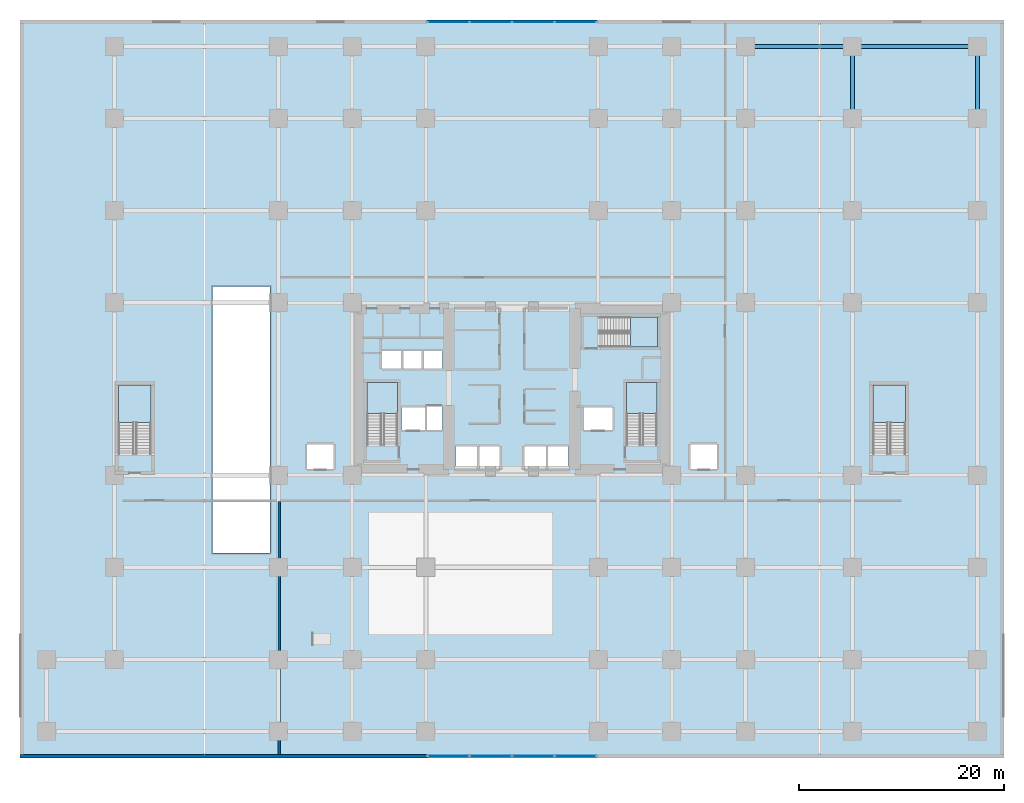
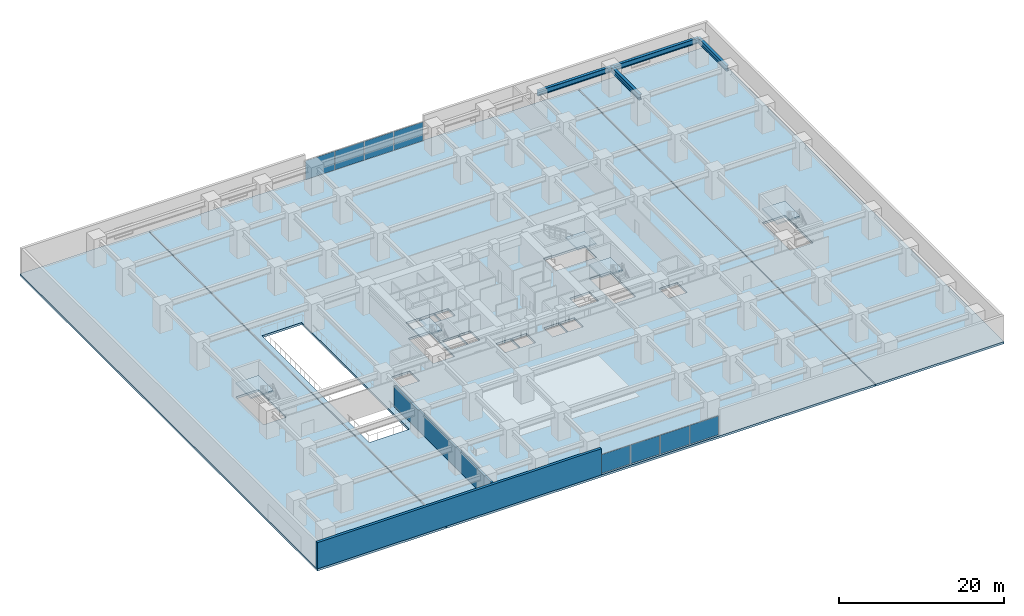
# One storey, part 9 of 22: 8 plates, 8 slabs, 4 beams, 2 walls, 7 elements without a shape of their own.
"""IFC4 building model written with IfcOpenShell, lengths in metres."""

from ifc_helpers import new_model, si_unit, direction, frame, frame_2d, origin, origin_2d, place, context, subcontext, project, spatial, polyline, rectangle, i_section, outline, extrude, material, layer, layer_set, material_profile, profile_set, type_object, element, aggregate, save


model = new_model("IFC4")

# Units and contexts
model_context = context("Model", 3, precision=1e-05, world=origin(), true_north=direction((0.0, 1.0)))
body_context = subcontext(model_context, "Body", "Model", "MODEL_VIEW")
ifc_project = project(units=[si_unit("LENGTHUNIT", "METRE"), si_unit("AREAUNIT", "SQUARE_METRE"), si_unit("VOLUMEUNIT", "CUBIC_METRE"), si_unit("PLANEANGLEUNIT", "RADIAN"), si_unit("MASSUNIT", "GRAM", prefix="KILO")], contexts=[model_context])

# Site, building, storey
site_placement = place(None, origin())
site = spatial("IfcSite", under=ifc_project, at=site_placement, CompositionType="ELEMENT")
building_placement = place(site_placement, origin())
building = spatial("IfcBuilding", under=site, at=building_placement, Name="Kiyonajd Concourse Tower", CompositionType="ELEMENT")
storey_placement = place(building_placement, frame((0.0, 0.0, 8.699951171875)))
storey = spatial("IfcBuildingStorey", under=building, at=storey_placement, Name="L03", CompositionType="ELEMENT", Elevation=8.699951171875)

# Beams
ifc_material_1 = material(Name="Steel ASTM A992 Grade 50", Category="steel")
ifc_material_profile = material_profile(ifc_material_1, i_section(OverallWidth=0.381103515625, OverallDepth=0.77294921875, WebThickness=0.0166015625, FlangeThickness=0.027099609375, at=origin_2d()), Name="W760X257")
ifc_profile_set = profile_set([ifc_material_profile], Name="Steel ASTM A992 Grade 50")
beam_type = type_object("IfcBeamType", Name="BM-POD-760", PredefinedType="BEAM", material=ifc_profile_set)
beam_1_placement = place(storey_placement, frame((70.800048828125, 69.39990234375, 3.49365234375), z_axis=(1.0, 0.0, 0.0), x_axis=(0.0, 1.0, 0.0)))
element("IfcBeam", 1, at=beam_1_placement, inside=storey, type_object=beam_type, Name="L03 Podium Primary Beam", PredefinedType="BEAM", context=body_context, shape_type="SweptSolid", body=[
    extrude(i_section(OverallWidth=0.381103515625, OverallDepth=0.77294921875, WebThickness=0.0166015625, FlangeThickness=0.027099609375, at=origin_2d()), origin(), (0.0, 0.0, 1.0), 10.39990234375),
])
beam_2_placement = place(storey_placement, frame((81.199951171875, 69.39990234375, 3.49365234375), z_axis=(1.0, 0.0, 0.0), x_axis=(0.0, 1.0, 0.0)))
element("IfcBeam", 2, at=beam_2_placement, inside=storey, type_object=beam_type, Name="L03 Podium Primary Beam", PredefinedType="BEAM", context=body_context, shape_type="SweptSolid", body=[
    extrude(i_section(OverallWidth=0.381103515625, OverallDepth=0.77294921875, WebThickness=0.0166015625, FlangeThickness=0.027099609375, at=origin_2d()), origin(), (0.0, 0.0, 1.0), 12.199951171875),
])
for number, where, z_axis, x_axis, name in (
    (3, (81.199951171875, 62.39990234375, 3.49365234375), (0.0, 1.0, 0.0), (-1.0, 0.0, 0.0), "L03 Podium North South Beam"),
    (4, (93.39990234375, 62.39990234375, 3.49365234375), (0.0, 1.0, 0.0), (-1.0, 0.0, 0.0), "L03 Podium North South Beam"),
):
    element("IfcBeam", number, at=place(storey_placement, frame(where, z_axis=z_axis, x_axis=x_axis)), inside=storey, type_object=beam_type, Name=name, PredefinedType="BEAM", context=body_context, shape_type="SweptSolid", body=[
        extrude(i_section(OverallWidth=0.381103515625, OverallDepth=0.77294921875, WebThickness=0.0166015625, FlangeThickness=0.027099609375, at=origin_2d()), origin(), (0.0, 0.0, 1.0), 7.0),
    ])

# Curtain wall, plates
ifc_material_2 = material(Name="Thermally Broken Anodised Aluminium", Category="aluminium")
ifc_layer_1 = layer(ifc_material_2, 0.179931640625)
ifc_layer_set_1 = layer_set([ifc_layer_1], Name="Thermally Broken Anodised Aluminium")
curtain_wall_type = type_object("IfcCurtainWallType", Name="CW-SYS-01", PredefinedType="NOTDEFINED", material=ifc_layer_set_1)
curtain_wall_1_placement = place(storey_placement, origin())
curtain_wall_1 = element("IfcCurtainWall", 5, at=curtain_wall_1_placement, inside=storey, type_object=curtain_wall_type, Name="L03 Unitised Curtain Wall CW1", PredefinedType="NOTDEFINED")
ifc_material_3 = material(Name="Double Low-E Insulated Glass", Category="glass")
ifc_layer_2 = layer(ifc_material_3, 0.0400390625)
ifc_layer_set_2 = layer_set([ifc_layer_2], Name="Double Low-E Insulated Glass")
plate_type = type_object("IfcPlateType", Name="PL-CW-VIS40", PredefinedType="CURTAIN_PANEL", material=ifc_layer_set_2)
plate_1_placement = place(storey_placement, frame((41.808837890625, 71.820068359375, 0.0751953125), z_axis=(0.0, 0.0, 1.0), x_axis=(1.0, 0.0, 0.0)))
plate_1 = element("IfcPlate", 6, at=plate_1_placement, type_object=plate_type, Name="CW1 panel 1.1", PredefinedType="CURTAIN_PANEL", context=body_context, shape_type="SweptSolid", body=[
    extrude(rectangle(XDim=4.027587890625, YDim=0.0400390625, at=origin_2d()), origin(), (0.0, 0.0, 1.0), 2.780029296875),
])
plate_2_placement = place(storey_placement, frame((45.929931640625, 71.820068359375, 0.0751953125), z_axis=(0.0, 0.0, 1.0), x_axis=(1.0, 0.0, 0.0)))
plate_2 = element("IfcPlate", 7, at=plate_2_placement, type_object=plate_type, Name="CW1 panel 2.1", PredefinedType="CURTAIN_PANEL", context=body_context, shape_type="SweptSolid", body=[
    extrude(rectangle(XDim=4.06494140625, YDim=0.0400390625, at=origin_2d()), origin(), (0.0, 0.0, 1.0), 2.780029296875),
])
plate_3_placement = place(storey_placement, frame((50.070068359375, 71.820068359375, 0.0751953125), z_axis=(0.0, 0.0, 1.0), x_axis=(1.0, 0.0, 0.0)))
plate_3 = element("IfcPlate", 8, at=plate_3_placement, type_object=plate_type, Name="CW1 panel 3.1", PredefinedType="CURTAIN_PANEL", context=body_context, shape_type="SweptSolid", body=[
    extrude(rectangle(XDim=4.06494140625, YDim=0.0400390625, at=origin_2d()), origin(), (0.0, 0.0, 1.0), 2.780029296875),
])
plate_4_placement = place(storey_placement, frame((54.191162109375, 71.820068359375, 0.0751953125), z_axis=(0.0, 0.0, 1.0), x_axis=(1.0, 0.0, 0.0)))
plate_4 = element("IfcPlate", 9, at=plate_4_placement, type_object=plate_type, Name="CW1 panel 4.1", PredefinedType="CURTAIN_PANEL", context=body_context, shape_type="SweptSolid", body=[
    extrude(rectangle(XDim=4.027587890625, YDim=0.0400390625, at=origin_2d()), origin(), (0.0, 0.0, 1.0), 2.780029296875),
])
aggregate(curtain_wall_1, [plate_1, plate_2, plate_3, plate_4])

curtain_wall_2_placement = place(storey_placement, origin())
curtain_wall_2 = element("IfcCurtainWall", 10, at=curtain_wall_2_placement, inside=storey, type_object=curtain_wall_type, Name="L03 Unitised Curtain Wall CW1", PredefinedType="NOTDEFINED")
plate_5_placement = place(storey_placement, frame((54.191162109375, 0.179931640625, 0.0751953125), z_axis=(0.0, 0.0, 1.0), x_axis=(-1.0, 0.0, 0.0)))
plate_5 = element("IfcPlate", 11, at=plate_5_placement, type_object=plate_type, Name="CW1 panel 1.1", PredefinedType="CURTAIN_PANEL", context=body_context, shape_type="SweptSolid", body=[
    extrude(rectangle(XDim=4.027587890625, YDim=0.0400390625, at=origin_2d()), origin(), (0.0, 0.0, 1.0), 2.780029296875),
])
plate_6_placement = place(storey_placement, frame((50.070068359375, 0.179931640625, 0.0751953125), z_axis=(0.0, 0.0, 1.0), x_axis=(-1.0, 0.0, 0.0)))
plate_6 = element("IfcPlate", 12, at=plate_6_placement, type_object=plate_type, Name="CW1 panel 2.1", PredefinedType="CURTAIN_PANEL", context=body_context, shape_type="SweptSolid", body=[
    extrude(rectangle(XDim=4.06494140625, YDim=0.0400390625, at=origin_2d()), origin(), (0.0, 0.0, 1.0), 2.780029296875),
])
plate_7_placement = place(storey_placement, frame((45.929931640625, 0.179931640625, 0.0751953125), z_axis=(0.0, 0.0, 1.0), x_axis=(-1.0, 0.0, 0.0)))
plate_7 = element("IfcPlate", 13, at=plate_7_placement, type_object=plate_type, Name="CW1 panel 3.1", PredefinedType="CURTAIN_PANEL", context=body_context, shape_type="SweptSolid", body=[
    extrude(rectangle(XDim=4.06494140625, YDim=0.0400390625, at=origin_2d()), origin(), (0.0, 0.0, 1.0), 2.780029296875),
])
plate_8_placement = place(storey_placement, frame((41.808837890625, 0.179931640625, 0.0751953125), z_axis=(0.0, 0.0, 1.0), x_axis=(-1.0, 0.0, 0.0)))
plate_8 = element("IfcPlate", 14, at=plate_8_placement, type_object=plate_type, Name="CW1 panel 4.1", PredefinedType="CURTAIN_PANEL", context=body_context, shape_type="SweptSolid", body=[
    extrude(rectangle(XDim=4.027587890625, YDim=0.0400390625, at=origin_2d()), origin(), (0.0, 0.0, 1.0), 2.780029296875),
])
aggregate(curtain_wall_2, [plate_5, plate_6, plate_7, plate_8])

# Stair, slab
ifc_material_4 = material(Name="Concrete C40/50", Category="concrete")
stair_type_1 = type_object("IfcStairType", Name="ST-DLG-24R", PredefinedType="HALF_TURN_STAIR", material=ifc_material_4)
stair_1_placement = place(storey_placement, origin())
stair_1 = element("IfcStair", 15, at=stair_1_placement, inside=storey, type_object=stair_type_1, Name="L03 Protected Exit Stair ST1", PredefinedType="HALF_TURN_STAIR")
ifc_layer_3 = layer(ifc_material_4, 0.199951171875)
ifc_layer_set_3 = layer_set([ifc_layer_3], Name="Concrete C40/50")
slab_type_1 = type_object("IfcSlabType", Name="SL-LND-200", PredefinedType="LANDING", material=ifc_layer_set_3)
slab_1_placement = place(storey_placement, frame((0.0, 0.0, 1.900146484375)))
slab_1 = element("IfcSlab", 16, at=slab_1_placement, type_object=slab_type_1, Name="ST1 landing 1", PredefinedType="LANDING", context=body_context, shape_type="SweptSolid", body=[
    extrude(outline(polyline([(36.85009765625, 33.6298828125), (36.85009765625, 36.64990234375), (33.85009765625, 36.64990234375), (33.85009765625, 33.6298828125), (36.85009765625, 33.6298828125)])), origin(), (0.0, 0.0, 1.0), 0.199951171875),
])
aggregate(stair_1, [slab_1])

stair_2_placement = place(storey_placement, origin())
stair_2 = element("IfcStair", 17, at=stair_2_placement, inside=storey, type_object=stair_type_1, Name="L03 Protected Exit Stair ST2", PredefinedType="HALF_TURN_STAIR")
slab_2_placement = place(storey_placement, frame((0.0, 0.0, 1.900146484375)))
slab_2 = element("IfcSlab", 18, at=slab_2_placement, type_object=slab_type_1, Name="ST2 landing 1", PredefinedType="LANDING", context=body_context, shape_type="SweptSolid", body=[
    extrude(outline(polyline([(62.14990234375, 33.6298828125), (62.14990234375, 36.64990234375), (59.14990234375, 36.64990234375), (59.14990234375, 33.6298828125), (62.14990234375, 33.6298828125)])), origin(), (0.0, 0.0, 1.0), 0.199951171875),
])
aggregate(stair_2, [slab_2])

stair_3_placement = place(storey_placement, origin())
stair_3 = element("IfcStair", 19, at=stair_3_placement, inside=storey, type_object=stair_type_1, Name="L03 Protected Exit Stair ST3", PredefinedType="HALF_TURN_STAIR")
slab_3_placement = place(storey_placement, frame((0.0, 0.0, 1.900146484375)))
slab_3 = element("IfcSlab", 20, at=slab_3_placement, type_object=slab_type_1, Name="ST3 landing 1", PredefinedType="LANDING", context=body_context, shape_type="SweptSolid", body=[
    extrude(outline(polyline([(59.56005859375, 40.080078125), (62.179931640625, 40.080078125), (62.179931640625, 43.02001953125), (59.56005859375, 43.02001953125), (59.56005859375, 40.080078125)])), origin(), (0.0, 0.0, 1.0), 0.199951171875),
])
aggregate(stair_3, [slab_3])

stair_type_2 = type_object("IfcStairType", Name="ST-POD-1500", PredefinedType="HALF_TURN_STAIR", material=ifc_material_4)
stair_4_placement = place(storey_placement, origin())
stair_4 = element("IfcStair", 21, at=stair_4_placement, inside=storey, type_object=stair_type_2, Name="L03 West Podium Exit Stair ST4", PredefinedType="HALF_TURN_STAIR")
slab_4_placement = place(storey_placement, frame((0.0, 0.0, 1.900146484375)))
slab_4 = element("IfcSlab", 22, at=slab_4_placement, type_object=slab_type_1, Name="ST4 landing 1", PredefinedType="LANDING", context=body_context, shape_type="SweptSolid", body=[
    extrude(outline(polyline([(12.800048828125, 32.72998046875), (12.800048828125, 36.39990234375), (9.60009765625, 36.39990234375), (9.60009765625, 32.72998046875), (12.800048828125, 32.72998046875)])), origin(), (0.0, 0.0, 1.0), 0.199951171875),
])
aggregate(stair_4, [slab_4])

stair_5_placement = place(storey_placement, origin())
stair_5 = element("IfcStair", 23, at=stair_5_placement, inside=storey, type_object=stair_type_2, Name="L03 East Podium Exit Stair ST5", PredefinedType="HALF_TURN_STAIR")
slab_5_placement = place(storey_placement, frame((0.0, 0.0, 1.900146484375)))
slab_5 = element("IfcSlab", 24, at=slab_5_placement, type_object=slab_type_1, Name="ST5 landing 1", PredefinedType="LANDING", context=body_context, shape_type="SweptSolid", body=[
    extrude(outline(polyline([(86.39990234375, 32.72998046875), (86.39990234375, 36.39990234375), (83.199951171875, 36.39990234375), (83.199951171875, 32.72998046875), (86.39990234375, 32.72998046875)])), origin(), (0.0, 0.0, 1.0), 0.199951171875),
])
aggregate(stair_5, [slab_5])

# Slabs
ifc_layer_4 = layer(ifc_material_4, 0.320068359375)
ifc_layer_set_4 = layer_set([ifc_layer_4], Name="Concrete C40/50")
slab_type_2 = type_object("IfcSlabType", Name="SL-POD-320", PredefinedType="FLOOR", material=ifc_layer_set_4)
slab_6_placement = place(storey_placement, frame((0.0, 0.0, -0.320068359375)))
element("IfcSlab", 25, at=slab_6_placement, inside=storey, type_object=slab_type_2, Name="L03 West Wing Podium Structural Floor Slab", PredefinedType="FLOOR", context=body_context, shape_type="SweptSolid", body=[
    extrude(outline(polyline([(0.0, 0.0), (17.93994140625, 0.0), (17.93994140625, 72.0), (0.0, 72.0), (0.0, 0.0)]), holes=[polyline([(9.60009765625, 29.64990234375), (9.60009765625, 36.39990234375), (12.800048828125, 36.39990234375), (12.800048828125, 29.64990234375), (9.60009765625, 29.64990234375)])]), origin(), (0.0, 0.0, 1.0), 0.320068359375),
])
slab_7_placement = place(storey_placement, frame((0.0, 0.0, -0.320068359375)))
element("IfcSlab", 26, at=slab_7_placement, inside=storey, type_object=slab_type_2, Name="L03 Central Tower Zone Podium Structural Floor Slab", PredefinedType="FLOOR", context=body_context, shape_type="SweptSolid", body=[
    extrude(outline(polyline([(18.06005859375, 0.0), (77.93994140625, 0.0), (77.93994140625, 72.0), (18.06005859375, 72.0), (18.06005859375, 0.0)]), holes=[polyline([(28.0, 28.199951171875), (28.0, 30.60009765625), (30.60009765625, 30.60009765625), (30.60009765625, 28.199951171875), (28.0, 28.199951171875)]), polyline([(18.800048828125, 20.0), (18.800048828125, 46.0), (24.39990234375, 46.0), (24.39990234375, 20.0), (18.800048828125, 20.0)]), polyline([(37.199951171875, 32.0), (37.199951171875, 34.199951171875), (39.5, 34.199951171875), (39.5, 32.0), (37.199951171875, 32.0)]), polyline([(39.60009765625, 32.0), (39.60009765625, 34.300048828125), (41.199951171875, 34.300048828125), (41.199951171875, 32.0), (39.60009765625, 32.0)]), polyline([(33.85009765625, 30.550048828125), (33.85009765625, 36.64990234375), (36.85009765625, 36.64990234375), (36.85009765625, 30.550048828125), (33.85009765625, 30.550048828125)]), polyline([(35.300048828125, 38.0), (35.300048828125, 39.699951171875), (37.199951171875, 39.699951171875), (37.199951171875, 38.0), (35.300048828125, 38.0)]), polyline([(37.300048828125, 39.699951171875), (39.199951171875, 39.699951171875), (39.199951171875, 38.0), (37.300048828125, 38.0), (37.300048828125, 39.699951171875)]), polyline([(39.300048828125, 39.699951171875), (41.199951171875, 39.699951171875), (41.199951171875, 38.0), (39.300048828125, 38.0), (39.300048828125, 39.699951171875)]), polyline([(42.5, 28.199951171875), (42.5, 30.39990234375), (44.60009765625, 30.39990234375), (44.60009765625, 28.199951171875), (42.5, 28.199951171875)]), polyline([(44.699951171875, 28.199951171875), (44.699951171875, 30.39990234375), (46.800048828125, 30.39990234375), (46.800048828125, 28.199951171875), (44.699951171875, 28.199951171875)]), polyline([(49.199951171875, 28.199951171875), (49.199951171875, 30.39990234375), (51.300048828125, 30.39990234375), (51.300048828125, 28.199951171875), (49.199951171875, 28.199951171875)]), polyline([(51.39990234375, 28.199951171875), (51.39990234375, 30.39990234375), (53.5, 30.39990234375), (53.5, 28.199951171875), (51.39990234375, 28.199951171875)]), polyline([(65.39990234375, 28.199951171875), (65.39990234375, 30.60009765625), (68.0, 30.60009765625), (68.0, 28.199951171875), (65.39990234375, 28.199951171875)]), polyline([(55.0, 32.0), (55.0, 34.199951171875), (57.800048828125, 34.199951171875), (57.800048828125, 32.0), (55.0, 32.0)]), polyline([(59.14990234375, 36.64990234375), (62.14990234375, 36.64990234375), (62.14990234375, 30.550048828125), (59.14990234375, 30.550048828125), (59.14990234375, 36.64990234375)]), polyline([(62.179931640625, 43.02001953125), (62.179931640625, 40.080078125), (56.47998046875, 40.080078125), (56.47998046875, 43.02001953125), (62.179931640625, 43.02001953125)])]), origin(), (0.0, 0.0, 1.0), 0.320068359375),
])
slab_8_placement = place(storey_placement, frame((0.0, 0.0, -0.320068359375)))
element("IfcSlab", 27, at=slab_8_placement, inside=storey, type_object=slab_type_2, Name="L03 East Wing Podium Structural Floor Slab", PredefinedType="FLOOR", context=body_context, shape_type="SweptSolid", body=[
    extrude(outline(polyline([(78.06005859375, 0.0), (96.0, 0.0), (96.0, 72.0), (78.06005859375, 72.0), (78.06005859375, 0.0)]), holes=[polyline([(83.199951171875, 29.64990234375), (83.199951171875, 36.39990234375), (86.39990234375, 36.39990234375), (86.39990234375, 29.64990234375), (83.199951171875, 29.64990234375)])]), origin(), (0.0, 0.0, 1.0), 0.320068359375),
])

# Walls
ifc_material_5 = material(Name="Precast concrete C50/60", Category="concrete")
ifc_layer_5 = layer(ifc_material_5, 0.360107421875)
ifc_layer_set_5 = layer_set([ifc_layer_5], Name="Precast concrete C50/60")
wall_type_1 = type_object("IfcWallType", Name="WL-EXT-360", PredefinedType="SOLIDWALL", material=ifc_layer_set_5)
wall_1_placement = place(storey_placement, frame((39.719970703125, 0.179931640625, 0.0), z_axis=(0.0, 0.0, 1.0), x_axis=(-1.0, 0.0, 0.0)))
element("IfcWall", 28, at=wall_1_placement, inside=storey, type_object=wall_type_1, Name="L03 South West Podium Facade Wall", PredefinedType="SOLIDWALL", context=body_context, shape_type="SweptSolid", body=[
    extrude(rectangle(XDim=39.719970703125, YDim=0.360107421875, at=frame_2d((19.85986328125, 0.0))), origin(), (0.0, 0.0, 1.0), 3.880126953125),
])
ifc_material_6 = material(Name="Gypsum Board on Cold-Formed Steel Stud", Category="steel")
ifc_layer_6 = layer(ifc_material_6, 0.22998046875)
ifc_layer_set_6 = layer_set([ifc_layer_6], Name="Gypsum Board on Cold-Formed Steel Stud")
wall_type_2 = type_object("IfcWallType", Name="WL-FIRE-230", PredefinedType="PARTITIONING", material=ifc_layer_set_6)
wall_2_placement = place(storey_placement, frame((25.300048828125, 0.35498046875, 0.0), z_axis=(0.0, 0.0, 1.0), x_axis=(0.0, 1.0, 0.0)))
element("IfcWall", 29, at=wall_2_placement, inside=storey, type_object=wall_type_2, Name="L03 Interior Partition Wall", PredefinedType="PARTITIONING", context=body_context, shape_type="SweptSolid", body=[
    extrude(rectangle(XDim=24.657958984375, YDim=0.22998046875, at=frame_2d((12.3291015625, 0.0))), origin(), (0.0, 0.0, 1.0), 3.092041015625),
])

save(model, "model.ifc")
